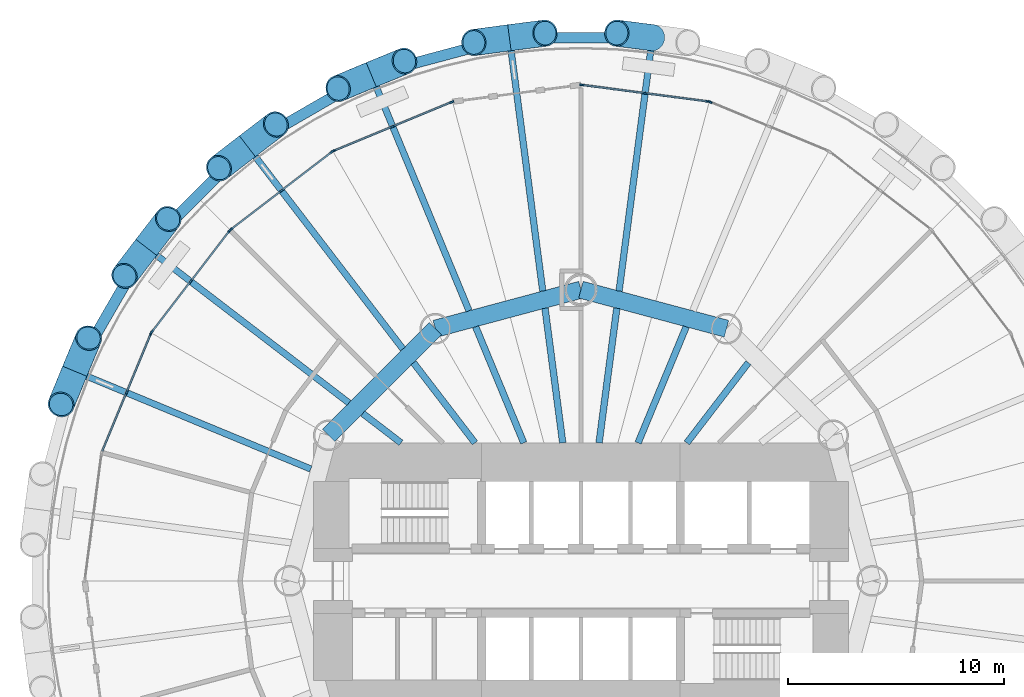
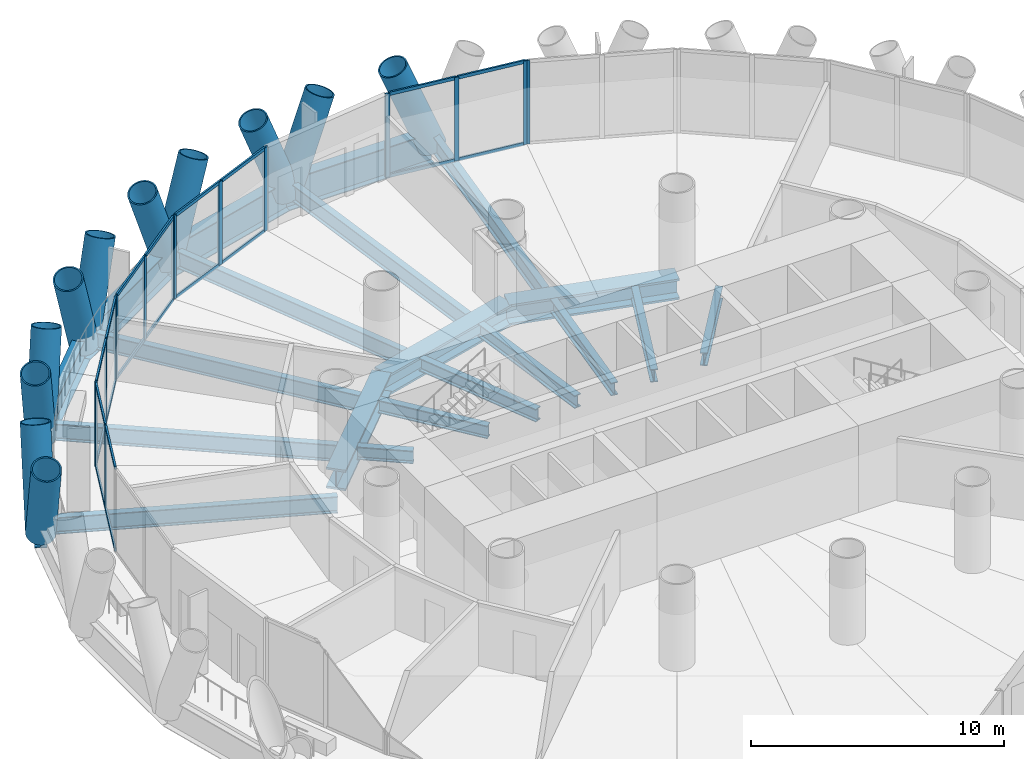
# One storey, part 5 of 14: 46 members, 21 beams, 6 elements without a shape of their own.
"""IFC4 building model written with IfcOpenShell, lengths in metres."""

from ifc_helpers import new_model, si_unit, direction, frame, origin, origin_2d, place, context, subcontext, project, spatial, rectangle, hollow_circle, i_section, extrude, material, material_profile, profile_set, type_object, element, aggregate, save


model = new_model("IFC4")

# Units and contexts
model_context = context("Model", 3, precision=1e-05, world=origin(), true_north=direction((0.0, 1.0)))
body_context = subcontext(model_context, "Body", "Model", "MODEL_VIEW")
ifc_project = project(units=[si_unit("LENGTHUNIT", "METRE"), si_unit("AREAUNIT", "SQUARE_METRE"), si_unit("VOLUMEUNIT", "CUBIC_METRE"), si_unit("PLANEANGLEUNIT", "RADIAN"), si_unit("MASSUNIT", "GRAM", prefix="KILO")], contexts=[model_context])

# Site, building, storey
site_placement = place(None, origin())
site = spatial("IfcSite", under=ifc_project, at=site_placement, CompositionType="ELEMENT")
building_placement = place(site_placement, origin())
building = spatial("IfcBuilding", under=site, at=building_placement, Name="Qaws Media Tower", CompositionType="ELEMENT")
storey_placement = place(building_placement, frame((0.0, 0.0, 68.0)))
storey = spatial("IfcBuildingStorey", under=building, at=storey_placement, Name="L14", CompositionType="ELEMENT", Elevation=68.0)

# Curtain wall, member
ifc_material_1 = material(Name="Aluminium and clear glass", Category="aluminium")
curtain_wall_type = type_object("IfcCurtainWallType", Name="Unitised curtain wall CW-A", PredefinedType="NOTDEFINED", material=ifc_material_1)
curtain_wall_1_placement = place(storey_placement, origin())
curtain_wall_1 = element("IfcCurtainWall", 1, at=curtain_wall_1_placement, inside=storey, type_object=curtain_wall_type, Name="CWA curtain wall L14-05", PredefinedType="NOTDEFINED")
ifc_material_2 = material(Name="Aluminium mullion", Category="aluminium")
ifc_material_profile_1 = material_profile(ifc_material_2, rectangle(XDim=0.080078125, YDim=0.199951171875, at=origin_2d()), Name="80x200")
ifc_profile_set_1 = profile_set([ifc_material_profile_1], Name="Aluminium mullion")
member_type_1 = type_object("IfcMemberType", Name="Curtain wall mullion 80x200", PredefinedType="MULLION", material=ifc_profile_set_1)
member_1_placement = place(storey_placement, frame((65.98974609375, 72.200927734375, 0.0), z_axis=(0.0, 0.0, 1.0), x_axis=(-0.382683470307, -0.923879516795, 0.0)))
member_1 = element("IfcMember", 2, at=member_1_placement, type_object=member_type_1, Name="CWA mullion 3", PredefinedType="MULLION", context=body_context, shape_type="SweptSolid", body=[
    extrude(rectangle(XDim=0.080078125, YDim=0.199951171875, at=origin_2d()), origin(), (0.0, 0.0, 1.0), 4.0400390625),
])
aggregate(curtain_wall_1, [member_1])

# Curtain wall, members
curtain_wall_2_placement = place(storey_placement, origin())
curtain_wall_2 = element("IfcCurtainWall", 3, at=curtain_wall_2_placement, inside=storey, type_object=curtain_wall_type, Name="CWA curtain wall L14-06", PredefinedType="NOTDEFINED")
member_2_placement = place(storey_placement, frame((65.9130859375, 72.221435546875, 0.0), z_axis=(0.0, 0.0, 1.0), x_axis=(-0.130526193795, -0.991444861167, 0.0)))
member_2 = element("IfcMember", 4, at=member_2_placement, type_object=member_type_1, Name="CWA mullion 1", PredefinedType="MULLION", context=body_context, shape_type="SweptSolid", body=[
    extrude(rectangle(XDim=0.080078125, YDim=0.199951171875, at=origin_2d()), origin(), (0.0, 0.0, 1.0), 4.0400390625),
])
member_3_placement = place(storey_placement, frame((62.976318359375, 72.608154296875, 0.0), z_axis=(0.0, 0.0, 1.0), x_axis=(-0.130526193795, -0.991444861167, 0.0)))
member_3 = element("IfcMember", 5, at=member_3_placement, type_object=member_type_1, Name="CWA mullion 2", PredefinedType="MULLION", context=body_context, shape_type="SweptSolid", body=[
    extrude(rectangle(XDim=0.080078125, YDim=0.199951171875, at=origin_2d()), origin(), (0.0, 0.0, 1.0), 4.0400390625),
])
member_4_placement = place(storey_placement, frame((60.03955078125, 72.994873046875, 0.0), z_axis=(0.0, 0.0, 1.0), x_axis=(-0.130526193795, -0.991444861167, 0.0)))
member_4 = element("IfcMember", 6, at=member_4_placement, type_object=member_type_1, Name="CWA mullion 3", PredefinedType="MULLION", context=body_context, shape_type="SweptSolid", body=[
    extrude(rectangle(XDim=0.080078125, YDim=0.199951171875, at=origin_2d()), origin(), (0.0, 0.0, 1.0), 4.0400390625),
])

curtain_wall_3_placement = place(storey_placement, origin())
curtain_wall_3 = element("IfcCurtainWall", 7, at=curtain_wall_3_placement, inside=storey, type_object=curtain_wall_type, Name="CWA curtain wall L14-08", PredefinedType="NOTDEFINED")
member_5_placement = place(storey_placement, frame((54.01025390625, 72.200927734375, 0.0), z_axis=(0.0, 0.0, 1.0), x_axis=(0.382683470307, -0.923879516795, 0.0)))
member_5 = element("IfcMember", 8, at=member_5_placement, type_object=member_type_1, Name="CWA mullion 1", PredefinedType="MULLION", context=body_context, shape_type="SweptSolid", body=[
    extrude(rectangle(XDim=0.080078125, YDim=0.199951171875, at=origin_2d()), origin(), (0.0, 0.0, 1.0), 4.0400390625),
])
member_6_placement = place(storey_placement, frame((51.273681640625, 71.0673828125, 0.0), z_axis=(0.0, 0.0, 1.0), x_axis=(0.382683470307, -0.923879516795, 0.0)))
member_6 = element("IfcMember", 9, at=member_6_placement, type_object=member_type_1, Name="CWA mullion 2", PredefinedType="MULLION", context=body_context, shape_type="SweptSolid", body=[
    extrude(rectangle(XDim=0.080078125, YDim=0.199951171875, at=origin_2d()), origin(), (0.0, 0.0, 1.0), 4.0400390625),
])
member_7_placement = place(storey_placement, frame((48.536865234375, 69.933837890625, 0.0), z_axis=(0.0, 0.0, 1.0), x_axis=(0.382683470307, -0.923879516795, 0.0)))
member_7 = element("IfcMember", 10, at=member_7_placement, type_object=member_type_1, Name="CWA mullion 3", PredefinedType="MULLION", context=body_context, shape_type="SweptSolid", body=[
    extrude(rectangle(XDim=0.080078125, YDim=0.199951171875, at=origin_2d()), origin(), (0.0, 0.0, 1.0), 4.0400390625),
])

curtain_wall_4_placement = place(storey_placement, origin())
curtain_wall_4 = element("IfcCurtainWall", 11, at=curtain_wall_4_placement, inside=storey, type_object=curtain_wall_type, Name="CWA curtain wall L14-09", PredefinedType="NOTDEFINED")
member_8_placement = place(storey_placement, frame((48.46826171875, 69.894287109375, 0.0), z_axis=(0.0, 0.0, 1.0), x_axis=(0.608761392855, -0.793353368033, 0.0)))
member_8 = element("IfcMember", 12, at=member_8_placement, type_object=member_type_1, Name="CWA mullion 1", PredefinedType="MULLION", context=body_context, shape_type="SweptSolid", body=[
    extrude(rectangle(XDim=0.080078125, YDim=0.199951171875, at=origin_2d()), origin(), (0.0, 0.0, 1.0), 4.0400390625),
])
member_9_placement = place(storey_placement, frame((46.1181640625, 68.091064453125, 0.0), z_axis=(0.0, 0.0, 1.0), x_axis=(0.608761392855, -0.793353368033, 0.0)))
member_9 = element("IfcMember", 13, at=member_9_placement, type_object=member_type_1, Name="CWA mullion 2", PredefinedType="MULLION", context=body_context, shape_type="SweptSolid", body=[
    extrude(rectangle(XDim=0.080078125, YDim=0.199951171875, at=origin_2d()), origin(), (0.0, 0.0, 1.0), 4.0400390625),
])
member_10_placement = place(storey_placement, frame((43.768310546875, 66.287841796875, 0.0), z_axis=(0.0, 0.0, 1.0), x_axis=(0.608761392855, -0.793353368033, 0.0)))
member_10 = element("IfcMember", 14, at=member_10_placement, type_object=member_type_1, Name="CWA mullion 3", PredefinedType="MULLION", context=body_context, shape_type="SweptSolid", body=[
    extrude(rectangle(XDim=0.080078125, YDim=0.199951171875, at=origin_2d()), origin(), (0.0, 0.0, 1.0), 4.0400390625),
])

curtain_wall_5_placement = place(storey_placement, origin())
curtain_wall_5 = element("IfcCurtainWall", 15, at=curtain_wall_5_placement, inside=storey, type_object=curtain_wall_type, Name="CWA curtain wall L14-10", PredefinedType="NOTDEFINED")
member_11_placement = place(storey_placement, frame((43.712158203125, 66.231689453125, 0.0), z_axis=(0.0, 0.0, 1.0), x_axis=(0.793353368033, -0.608761392855, 0.0)))
member_11 = element("IfcMember", 16, at=member_11_placement, type_object=member_type_1, Name="CWA mullion 1", PredefinedType="MULLION", context=body_context, shape_type="SweptSolid", body=[
    extrude(rectangle(XDim=0.080078125, YDim=0.199951171875, at=origin_2d()), origin(), (0.0, 0.0, 1.0), 4.0400390625),
])
member_12_placement = place(storey_placement, frame((41.908935546875, 63.8818359375, 0.0), z_axis=(0.0, 0.0, 1.0), x_axis=(0.793353368033, -0.608761392855, 0.0)))
member_12 = element("IfcMember", 17, at=member_12_placement, type_object=member_type_1, Name="CWA mullion 2", PredefinedType="MULLION", context=body_context, shape_type="SweptSolid", body=[
    extrude(rectangle(XDim=0.080078125, YDim=0.199951171875, at=origin_2d()), origin(), (0.0, 0.0, 1.0), 4.0400390625),
])
member_13_placement = place(storey_placement, frame((40.105712890625, 61.53173828125, 0.0), z_axis=(0.0, 0.0, 1.0), x_axis=(0.793353368033, -0.608761392855, 0.0)))
member_13 = element("IfcMember", 18, at=member_13_placement, type_object=member_type_1, Name="CWA mullion 3", PredefinedType="MULLION", context=body_context, shape_type="SweptSolid", body=[
    extrude(rectangle(XDim=0.080078125, YDim=0.199951171875, at=origin_2d()), origin(), (0.0, 0.0, 1.0), 4.0400390625),
])

curtain_wall_6_placement = place(storey_placement, origin())
curtain_wall_6 = element("IfcCurtainWall", 19, at=curtain_wall_6_placement, inside=storey, type_object=curtain_wall_type, Name="CWA curtain wall L14-11", PredefinedType="NOTDEFINED")
member_14_placement = place(storey_placement, frame((40.066162109375, 61.463134765625, 0.0), z_axis=(0.0, 0.0, 1.0), x_axis=(0.923879516795, -0.382683470307, 0.0)))
member_14 = element("IfcMember", 20, at=member_14_placement, type_object=member_type_1, Name="CWA mullion 1", PredefinedType="MULLION", context=body_context, shape_type="SweptSolid", body=[
    extrude(rectangle(XDim=0.080078125, YDim=0.199951171875, at=origin_2d()), origin(), (0.0, 0.0, 1.0), 4.0400390625),
])
member_15_placement = place(storey_placement, frame((38.9326171875, 58.726318359375, 0.0), z_axis=(0.0, 0.0, 1.0), x_axis=(0.923879516795, -0.382683470307, 0.0)))
member_15 = element("IfcMember", 21, at=member_15_placement, type_object=member_type_1, Name="CWA mullion 2", PredefinedType="MULLION", context=body_context, shape_type="SweptSolid", body=[
    extrude(rectangle(XDim=0.080078125, YDim=0.199951171875, at=origin_2d()), origin(), (0.0, 0.0, 1.0), 4.0400390625),
])

# Member
ifc_material_3 = material(Name="Aluminium transom", Category="aluminium")
ifc_material_profile_2 = material_profile(ifc_material_3, rectangle(XDim=0.080078125, YDim=0.159912109375, at=origin_2d()), Name="80x160")
ifc_profile_set_2 = profile_set([ifc_material_profile_2], Name="Aluminium transom")
member_type_2 = type_object("IfcMemberType", Name="Curtain wall transom 80x160", PredefinedType="USERDEFINED", material=ifc_profile_set_2)
member_16_placement = place(storey_placement, frame((65.87353515625, 72.226806640625, 0.0400390625), z_axis=(-0.991443335709, 0.130537780274, 0.0), x_axis=(-0.130537780274, -0.991443335709, 0.0)))
member_16 = element("IfcMember", 22, at=member_16_placement, type_object=member_type_2, Name="CWA transom 1.1", ObjectType="TRANSOM", PredefinedType="USERDEFINED", context=body_context, shape_type="SweptSolid", body=[
    extrude(rectangle(XDim=0.080078125, YDim=0.159912109375, at=origin_2d()), origin(), (0.0, 0.0, 1.0), 2.882080078125),
])

member_17_placement = place(storey_placement, frame((65.87353515625, 72.226806640625, 4.0), z_axis=(-0.991443335709, 0.130537780274, 0.0), x_axis=(-0.130537780274, -0.991443335709, 0.0)))
member_17 = element("IfcMember", 23, at=member_17_placement, type_object=member_type_2, Name="CWA transom 1.2", ObjectType="TRANSOM", PredefinedType="USERDEFINED", context=body_context, shape_type="SweptSolid", body=[
    extrude(rectangle(XDim=0.080078125, YDim=0.159912109375, at=origin_2d()), origin(), (0.0, 0.0, 1.0), 2.882080078125),
])

member_18_placement = place(storey_placement, frame((62.936767578125, 72.61328125, 0.0400390625), z_axis=(-0.991443335709, 0.130537780274, 0.0), x_axis=(-0.130537780274, -0.991443335709, 0.0)))
member_18 = element("IfcMember", 24, at=member_18_placement, type_object=member_type_2, Name="CWA transom 2.1", ObjectType="TRANSOM", PredefinedType="USERDEFINED", context=body_context, shape_type="SweptSolid", body=[
    extrude(rectangle(XDim=0.080078125, YDim=0.159912109375, at=origin_2d()), origin(), (0.0, 0.0, 1.0), 2.882080078125),
])

member_19_placement = place(storey_placement, frame((62.936767578125, 72.61328125, 4.0), z_axis=(-0.991443335709, 0.130537780274, 0.0), x_axis=(-0.130537780274, -0.991443335709, 0.0)))
member_19 = element("IfcMember", 25, at=member_19_placement, type_object=member_type_2, Name="CWA transom 2.2", ObjectType="TRANSOM", PredefinedType="USERDEFINED", context=body_context, shape_type="SweptSolid", body=[
    extrude(rectangle(XDim=0.080078125, YDim=0.159912109375, at=origin_2d()), origin(), (0.0, 0.0, 1.0), 2.882080078125),
])

aggregate(curtain_wall_2, [member_2, member_3, member_4, member_16, member_17, member_18, member_19])

member_20_placement = place(storey_placement, frame((53.97314453125, 72.185791015625, 0.0400390625), z_axis=(-0.923861954228, -0.382725867339, 0.0), x_axis=(0.382725867339, -0.923861954228, 0.0)))
member_20 = element("IfcMember", 26, at=member_20_placement, type_object=member_type_2, Name="CWA transom 1.1", ObjectType="TRANSOM", PredefinedType="USERDEFINED", context=body_context, shape_type="SweptSolid", body=[
    extrude(rectangle(XDim=0.080078125, YDim=0.159912109375, at=origin_2d()), origin(), (0.0, 0.0, 1.0), 2.882080078125),
])

member_21_placement = place(storey_placement, frame((53.97314453125, 72.185791015625, 4.0), z_axis=(-0.923861954228, -0.382725867339, 0.0), x_axis=(0.382725867339, -0.923861954228, 0.0)))
member_21 = element("IfcMember", 27, at=member_21_placement, type_object=member_type_2, Name="CWA transom 1.2", ObjectType="TRANSOM", PredefinedType="USERDEFINED", context=body_context, shape_type="SweptSolid", body=[
    extrude(rectangle(XDim=0.080078125, YDim=0.159912109375, at=origin_2d()), origin(), (0.0, 0.0, 1.0), 2.882080078125),
])

member_22_placement = place(storey_placement, frame((51.236572265625, 71.05224609375, 0.0400390625), z_axis=(-0.923861954228, -0.382725867339, 0.0), x_axis=(0.382725867339, -0.923861954228, 0.0)))
member_22 = element("IfcMember", 28, at=member_22_placement, type_object=member_type_2, Name="CWA transom 2.1", ObjectType="TRANSOM", PredefinedType="USERDEFINED", context=body_context, shape_type="SweptSolid", body=[
    extrude(rectangle(XDim=0.080078125, YDim=0.159912109375, at=origin_2d()), origin(), (0.0, 0.0, 1.0), 2.882080078125),
])

member_23_placement = place(storey_placement, frame((51.236572265625, 71.05224609375, 4.0), z_axis=(-0.923861954228, -0.382725867339, 0.0), x_axis=(0.382725867339, -0.923861954228, 0.0)))
member_23 = element("IfcMember", 29, at=member_23_placement, type_object=member_type_2, Name="CWA transom 2.2", ObjectType="TRANSOM", PredefinedType="USERDEFINED", context=body_context, shape_type="SweptSolid", body=[
    extrude(rectangle(XDim=0.080078125, YDim=0.159912109375, at=origin_2d()), origin(), (0.0, 0.0, 1.0), 2.882080078125),
])

aggregate(curtain_wall_3, [member_5, member_6, member_7, member_20, member_21, member_22, member_23])

member_24_placement = place(storey_placement, frame((48.4365234375, 69.869873046875, 0.0400390625), z_axis=(-0.793385436985, -0.608719597499, 0.0), x_axis=(0.608719597499, -0.793385436985, 0.0)))
member_24 = element("IfcMember", 30, at=member_24_placement, type_object=member_type_2, Name="CWA transom 1.1", ObjectType="TRANSOM", PredefinedType="USERDEFINED", context=body_context, shape_type="SweptSolid", body=[
    extrude(rectangle(XDim=0.080078125, YDim=0.159912109375, at=origin_2d()), origin(), (0.0, 0.0, 1.0), 2.882080078125),
])

member_25_placement = place(storey_placement, frame((48.4365234375, 69.869873046875, 4.0), z_axis=(-0.793385436985, -0.608719597499, 0.0), x_axis=(0.608719597499, -0.793385436985, 0.0)))
member_25 = element("IfcMember", 31, at=member_25_placement, type_object=member_type_2, Name="CWA transom 1.2", ObjectType="TRANSOM", PredefinedType="USERDEFINED", context=body_context, shape_type="SweptSolid", body=[
    extrude(rectangle(XDim=0.080078125, YDim=0.159912109375, at=origin_2d()), origin(), (0.0, 0.0, 1.0), 2.882080078125),
])

member_26_placement = place(storey_placement, frame((46.08642578125, 68.066650390625, 0.0400390625), z_axis=(-0.793354045749, -0.608760509637, 0.0), x_axis=(0.608760509637, -0.793354045749, 0.0)))
member_26 = element("IfcMember", 32, at=member_26_placement, type_object=member_type_2, Name="CWA transom 2.1", ObjectType="TRANSOM", PredefinedType="USERDEFINED", context=body_context, shape_type="SweptSolid", body=[
    extrude(rectangle(XDim=0.080078125, YDim=0.159912109375, at=origin_2d()), origin(), (0.0, 0.0, 1.0), 2.8818359375),
])

member_27_placement = place(storey_placement, frame((46.08642578125, 68.066650390625, 4.0), z_axis=(-0.793354045749, -0.608760509637, 0.0), x_axis=(0.608760509637, -0.793354045749, 0.0)))
member_27 = element("IfcMember", 33, at=member_27_placement, type_object=member_type_2, Name="CWA transom 2.2", ObjectType="TRANSOM", PredefinedType="USERDEFINED", context=body_context, shape_type="SweptSolid", body=[
    extrude(rectangle(XDim=0.080078125, YDim=0.159912109375, at=origin_2d()), origin(), (0.0, 0.0, 1.0), 2.8818359375),
])

aggregate(curtain_wall_4, [member_8, member_9, member_10, member_24, member_25, member_26, member_27])

member_28_placement = place(storey_placement, frame((43.687744140625, 66.199951171875, 0.0400390625), z_axis=(-0.608760509637, -0.793354045749, 0.0), x_axis=(0.793354045749, -0.608760509637, 0.0)))
member_28 = element("IfcMember", 34, at=member_28_placement, type_object=member_type_2, Name="CWA transom 1.1", ObjectType="TRANSOM", PredefinedType="USERDEFINED", context=body_context, shape_type="SweptSolid", body=[
    extrude(rectangle(XDim=0.080078125, YDim=0.159912109375, at=origin_2d()), origin(), (0.0, 0.0, 1.0), 2.8818359375),
])

member_29_placement = place(storey_placement, frame((43.687744140625, 66.199951171875, 4.0), z_axis=(-0.608760509637, -0.793354045749, 0.0), x_axis=(0.793354045749, -0.608760509637, 0.0)))
member_29 = element("IfcMember", 35, at=member_29_placement, type_object=member_type_2, Name="CWA transom 1.2", ObjectType="TRANSOM", PredefinedType="USERDEFINED", context=body_context, shape_type="SweptSolid", body=[
    extrude(rectangle(XDim=0.080078125, YDim=0.159912109375, at=origin_2d()), origin(), (0.0, 0.0, 1.0), 2.8818359375),
])

member_30_placement = place(storey_placement, frame((41.884521484375, 63.85009765625, 0.0400390625), z_axis=(-0.608719597499, -0.793385436985, 0.0), x_axis=(0.793385436985, -0.608719597499, 0.0)))
member_30 = element("IfcMember", 36, at=member_30_placement, type_object=member_type_2, Name="CWA transom 2.1", ObjectType="TRANSOM", PredefinedType="USERDEFINED", context=body_context, shape_type="SweptSolid", body=[
    extrude(rectangle(XDim=0.080078125, YDim=0.159912109375, at=origin_2d()), origin(), (0.0, 0.0, 1.0), 2.882080078125),
])

member_31_placement = place(storey_placement, frame((41.884521484375, 63.85009765625, 4.0), z_axis=(-0.608719597499, -0.793385436985, 0.0), x_axis=(0.793385436985, -0.608719597499, 0.0)))
member_31 = element("IfcMember", 37, at=member_31_placement, type_object=member_type_2, Name="CWA transom 2.2", ObjectType="TRANSOM", PredefinedType="USERDEFINED", context=body_context, shape_type="SweptSolid", body=[
    extrude(rectangle(XDim=0.080078125, YDim=0.159912109375, at=origin_2d()), origin(), (0.0, 0.0, 1.0), 2.882080078125),
])

aggregate(curtain_wall_5, [member_11, member_12, member_13, member_28, member_29, member_30, member_31])

member_32_placement = place(storey_placement, frame((40.05078125, 61.426025390625, 0.0400390625), z_axis=(-0.382725867339, -0.923861954228, 0.0), x_axis=(0.923861954228, -0.382725867339, 0.0)))
member_32 = element("IfcMember", 38, at=member_32_placement, type_object=member_type_2, Name="CWA transom 1.1", ObjectType="TRANSOM", PredefinedType="USERDEFINED", context=body_context, shape_type="SweptSolid", body=[
    extrude(rectangle(XDim=0.080078125, YDim=0.159912109375, at=origin_2d()), origin(), (0.0, 0.0, 1.0), 2.882080078125),
])

member_33_placement = place(storey_placement, frame((40.05078125, 61.426025390625, 4.0), z_axis=(-0.382725867339, -0.923861954228, 0.0), x_axis=(0.923861954228, -0.382725867339, 0.0)))
member_33 = element("IfcMember", 39, at=member_33_placement, type_object=member_type_2, Name="CWA transom 1.2", ObjectType="TRANSOM", PredefinedType="USERDEFINED", context=body_context, shape_type="SweptSolid", body=[
    extrude(rectangle(XDim=0.080078125, YDim=0.159912109375, at=origin_2d()), origin(), (0.0, 0.0, 1.0), 2.882080078125),
])

member_34_placement = place(storey_placement, frame((38.917236328125, 58.689453125, 0.0400390625), z_axis=(-0.382725867339, -0.923861954228, 0.0), x_axis=(0.923861954228, -0.382725867339, 0.0)))
member_34 = element("IfcMember", 40, at=member_34_placement, type_object=member_type_2, Name="CWA transom 2.1", ObjectType="TRANSOM", PredefinedType="USERDEFINED", context=body_context, shape_type="SweptSolid", body=[
    extrude(rectangle(XDim=0.080078125, YDim=0.159912109375, at=origin_2d()), origin(), (0.0, 0.0, 1.0), 2.882080078125),
])

member_35_placement = place(storey_placement, frame((38.917236328125, 58.689453125, 4.0), z_axis=(-0.382725867339, -0.923861954228, 0.0), x_axis=(0.923861954228, -0.382725867339, 0.0)))
member_35 = element("IfcMember", 41, at=member_35_placement, type_object=member_type_2, Name="CWA transom 2.2", ObjectType="TRANSOM", PredefinedType="USERDEFINED", context=body_context, shape_type="SweptSolid", body=[
    extrude(rectangle(XDim=0.080078125, YDim=0.159912109375, at=origin_2d()), origin(), (0.0, 0.0, 1.0), 2.882080078125),
])

aggregate(curtain_wall_6, [member_14, member_15, member_32, member_33, member_34, member_35])

# Members
ifc_material_4 = material(Name="Steel S460", Category="steel")
ifc_material_profile_3 = material_profile(ifc_material_4, hollow_circle(Radius=0.609619140625, WallThickness=0.06005859375, at=origin_2d()), Name="CHS 1219x60")
ifc_profile_set_3 = profile_set([ifc_material_profile_3], Name="Steel S460")
member_type_3 = type_object("IfcMemberType", Name="Diagrid member CHS 1219x60", PredefinedType="USERDEFINED", material=ifc_profile_set_3)
for number, where, z_axis, x_axis, name in (
    (42, (63.3154296875, 75.1826171875, -0.909912109375), (-0.365418374584, 0.047122866406, 0.929649851814), (-0.127896875978, -0.991787471747, 0.0), "DG1 diagrid L14 A06"),
    (43, (56.6845703125, 75.1826171875, -0.909912109375), (-0.365150048786, -0.049068557688, 0.929654623244), (0.133182057659, -0.991091589873, 0.0), "DG1 diagrid L14 A07"),
    (44, (56.6845703125, 75.1826171875, -0.909912109375), (0.365418374584, 0.047122866406, 0.929649851814), (-0.127896875978, 0.991787471747, 0.0), "DG1 diagrid L14 B07"),
    (45, (50.27978515625, 73.466552734375, -0.909912109375), (-0.340019526305, -0.141908975855, 0.929649699781), (0.385156871234, -0.922851117213, 0.0), "DG1 diagrid L14 A08"),
    (46, (50.27978515625, 73.466552734375, -0.909912109375), (0.340776603455, 0.140071829394, 0.929651111519), (-0.380174325238, 0.924914851448, 0.0), "DG1 diagrid L14 B08"),
    (47, (44.537353515625, 70.151123046875, -0.909912109375), (-0.29165813719, -0.22507988538, 0.929663689841), (0.61095058098, -0.791668736026, 0.0), "DG1 diagrid L14 A09"),
    (48, (44.537353515625, 70.151123046875, -0.909912109375), (0.292947030243, 0.223506533312, 0.929638030117), (-0.60657331823, 0.795027552738, 0.0), "DG1 diagrid L14 B09"),
    (49, (39.848876953125, 65.462646484375, -0.909912109375), (-0.223506533312, -0.292947030243, 0.929638030117), (0.795027552738, -0.60657331823, 0.0), "DG1 diagrid L14 A10"),
    (50, (39.848876953125, 65.462646484375, -0.909912109375), (0.22507988538, 0.29165813719, 0.929663689841), (-0.791668736026, 0.61095058098, 0.0), "DG1 diagrid L14 B10"),
    (51, (36.533447265625, 59.72021484375, -0.909912109375), (-0.140071829394, -0.340776603455, 0.929651111519), (0.924914851448, -0.380174325238, 0.0), "DG1 diagrid L14 A11"),
    (52, (36.533447265625, 59.72021484375, -0.909912109375), (0.141908975855, 0.340019526305, 0.929649699781), (-0.922851117213, 0.385156871234, 0.0), "DG1 diagrid L14 B11"),
):
    element("IfcMember", number, at=place(storey_placement, frame(where, z_axis=z_axis, x_axis=x_axis)), inside=storey, type_object=member_type_3, Name=name, ObjectType="DIAGRID", PredefinedType="USERDEFINED", context=body_context, shape_type="SweptSolid", body=[
        extrude(hollow_circle(Radius=0.609619140625, WallThickness=0.06005859375, at=origin_2d()), origin(), (0.0, 0.0, 1.0), 4.517822265625),
    ])

# Beams
ifc_material_5 = material(Name="Steel S460", Category="steel")
ifc_material_profile_4 = material_profile(ifc_material_5, i_section(OverallWidth=0.5, OverallDepth=1.5, WebThickness=0.02001953125, FlangeThickness=0.0400390625, at=origin_2d()), Name="PG 1500x500")
ifc_profile_set_4 = profile_set([ifc_material_profile_4], Name="Steel S460")
beam_type_1 = type_object("IfcBeamType", Name="Edge ring beam PG 1500x500", PredefinedType="BEAM", material=ifc_profile_set_4)
beam_1_placement = place(storey_placement, frame((63.3154296875, 75.1826171875, -0.909912109375), z_axis=(-1.0, 0.0, 0.0), x_axis=(0.0, -1.0, 0.0)))
element("IfcBeam", 53, at=beam_1_placement, inside=storey, type_object=beam_type_1, Name="RB4 edge ring beam L14-06", PredefinedType="BEAM", context=body_context, shape_type="SweptSolid", body=[
    extrude(i_section(OverallWidth=0.5, OverallDepth=1.5, WebThickness=0.02001953125, FlangeThickness=0.0400390625, at=origin_2d()), origin(), (0.0, 0.0, 1.0), 6.630859375),
])
beam_2_placement = place(storey_placement, frame((56.6845703125, 75.1826171875, -0.909912109375), z_axis=(-0.965929315924, -0.258806021256, 0.0), x_axis=(0.258806021256, -0.965929315924, 0.0)))
element("IfcBeam", 54, at=beam_2_placement, inside=storey, type_object=beam_type_1, Name="RB4 edge ring beam L14-07", PredefinedType="BEAM", context=body_context, shape_type="SweptSolid", body=[
    extrude(i_section(OverallWidth=0.5, OverallDepth=1.5, WebThickness=0.02001953125, FlangeThickness=0.0400390625, at=origin_2d()), origin(), (0.0, 0.0, 1.0), 6.630615234375),
])
beam_3_placement = place(storey_placement, frame((50.27978515625, 73.466552734375, -0.909912109375), z_axis=(-0.866023102884, -0.500003985254, 0.0), x_axis=(0.500003985254, -0.866023102884, 0.0)))
element("IfcBeam", 55, at=beam_3_placement, inside=storey, type_object=beam_type_1, Name="RB4 edge ring beam L14-08", PredefinedType="BEAM", context=body_context, shape_type="SweptSolid", body=[
    extrude(i_section(OverallWidth=0.5, OverallDepth=1.5, WebThickness=0.02001953125, FlangeThickness=0.0400390625, at=origin_2d()), origin(), (0.0, 0.0, 1.0), 6.630859375),
])
beam_4_placement = place(storey_placement, frame((44.537353515625, 70.151123046875, -0.909912109375), z_axis=(-0.707106781187, -0.707106781187, 0.0), x_axis=(0.707106781187, -0.707106781187, 0.0)))
element("IfcBeam", 56, at=beam_4_placement, inside=storey, type_object=beam_type_1, Name="RB4 edge ring beam L14-09", PredefinedType="BEAM", context=body_context, shape_type="SweptSolid", body=[
    extrude(i_section(OverallWidth=0.5, OverallDepth=1.5, WebThickness=0.02001953125, FlangeThickness=0.0400390625, at=origin_2d()), origin(), (0.0, 0.0, 1.0), 6.630615234375),
])
beam_5_placement = place(storey_placement, frame((39.848876953125, 65.462646484375, -0.909912109375), z_axis=(-0.500003985254, -0.866023102884, 0.0), x_axis=(0.866023102884, -0.500003985254, 0.0)))
element("IfcBeam", 57, at=beam_5_placement, inside=storey, type_object=beam_type_1, Name="RB4 edge ring beam L14-10", PredefinedType="BEAM", context=body_context, shape_type="SweptSolid", body=[
    extrude(i_section(OverallWidth=0.5, OverallDepth=1.5, WebThickness=0.02001953125, FlangeThickness=0.0400390625, at=origin_2d()), origin(), (0.0, 0.0, 1.0), 6.630859375),
])
ifc_material_6 = material(Name="Steel S460", Category="steel")
ifc_material_profile_5 = material_profile(ifc_material_6, i_section(OverallWidth=0.800048828125, OverallDepth=1.0, WebThickness=0.0400390625, FlangeThickness=0.10009765625, at=origin_2d()), Name="PG 1000x800")
ifc_profile_set_5 = profile_set([ifc_material_profile_5], Name="Steel S460")
beam_type_2 = type_object("IfcBeamType", Name="Inner ring girder PG 1000x800", PredefinedType="BEAM", material=ifc_profile_set_5)
for number, where, z_axis, x_axis, name in (
    (58, (66.75, 61.69140625, -0.659912109375), (-0.965928090778, 0.258810593767, 0.0), (-0.258810593767, -0.965928090778, 0.0), "B3 inner ring beam L14 I03-I04"),
    (59, (60.0, 63.5, -0.659912109375), (-0.965928090778, -0.258810593767, 0.0), (0.258810593767, -0.965928090778, 0.0), "B3 inner ring beam L14 I04-I05"),
):
    element("IfcBeam", number, at=place(storey_placement, frame(where, z_axis=z_axis, x_axis=x_axis)), inside=storey, type_object=beam_type_2, Name=name, PredefinedType="BEAM", context=body_context, shape_type="SweptSolid", body=[
        extrude(i_section(OverallWidth=0.800048828125, OverallDepth=1.0, WebThickness=0.0400390625, FlangeThickness=0.10009765625, at=origin_2d()), origin(), (0.0, 0.0, 1.0), 6.988037109375),
    ])
beam_6_placement = place(storey_placement, frame((53.25, 61.69140625, -0.659912109375), z_axis=(-0.707106781187, -0.707106781187, 0.0), x_axis=(0.707106781187, -0.707106781187, 0.0)))
element("IfcBeam", 60, at=beam_6_placement, inside=storey, type_object=beam_type_2, Name="B3 inner ring beam L14 I05-I06", PredefinedType="BEAM", context=body_context, shape_type="SweptSolid", body=[
    extrude(i_section(OverallWidth=0.800048828125, OverallDepth=1.0, WebThickness=0.0400390625, FlangeThickness=0.10009765625, at=origin_2d()), origin(), (0.0, 0.0, 1.0), 6.98828125),
])
ifc_material_7 = material(Name="Steel S355", Category="steel")
ifc_material_profile_6 = material_profile(ifc_material_7, i_section(OverallWidth=0.304931640625, OverallDepth=0.6201171875, WebThickness=0.02099609375, FlangeThickness=0.0400390625, FilletRadius=0.027099609375, at=origin_2d()), Name="HE 600 M")
ifc_profile_set_6 = profile_set([ifc_material_profile_6], Name="Steel S355")
beam_type_3 = type_object("IfcBeamType", Name="Radial beam HE 600 M, core side", PredefinedType="BEAM", material=ifc_profile_set_6)
beam_7_placement = place(storey_placement, frame((64.910888671875, 56.39990234375, -0.469970703125), z_axis=(0.608765363283, 0.793350321401, 0.0), x_axis=(-0.793350321401, 0.608765363283, 0.0)))
element("IfcBeam", 61, at=beam_7_placement, inside=storey, type_object=beam_type_3, Name="B2 radial beam L14 04", PredefinedType="BEAM", context=body_context, shape_type="SweptSolid", body=[
    extrude(i_section(OverallWidth=0.304931640625, OverallDepth=0.6201171875, WebThickness=0.02099609375, FlangeThickness=0.0400390625, FilletRadius=0.027099609375, at=origin_2d()), origin(), (0.0, 0.0, 1.0), 4.68212890625),
])
beam_8_placement = place(storey_placement, frame((62.65087890625, 56.39990234375, -0.469970703125), z_axis=(0.38269993354, 0.923872697328, 0.0), x_axis=(-0.923872697328, 0.38269993354, 0.0)))
element("IfcBeam", 62, at=beam_8_placement, inside=storey, type_object=beam_type_3, Name="B2 radial beam L14 05", PredefinedType="BEAM", context=body_context, shape_type="SweptSolid", body=[
    extrude(i_section(OverallWidth=0.304931640625, OverallDepth=0.6201171875, WebThickness=0.02099609375, FlangeThickness=0.0400390625, FilletRadius=0.027099609375, at=origin_2d()), origin(), (0.0, 0.0, 1.0), 5.82177734375),
])
for number, where, z_axis, x_axis, name in (
    (63, (60.842529296875, 56.39990234375, -0.469970703125), (0.130529769311, 0.991444390434, 0.0), (-0.991444390434, 0.130529769311, 0.0), "B2 radial beam L14 06"),
    (64, (59.157470703125, 56.39990234375, -0.469970703125), (-0.130529769311, 0.991444390434, 0.0), (-0.991444390434, -0.130529769311, 0.0), "B2 radial beam L14 07"),
):
    element("IfcBeam", number, at=place(storey_placement, frame(where, z_axis=z_axis, x_axis=x_axis)), inside=storey, type_object=beam_type_3, Name=name, PredefinedType="BEAM", context=body_context, shape_type="SweptSolid", body=[
        extrude(i_section(OverallWidth=0.304931640625, OverallDepth=0.6201171875, WebThickness=0.02099609375, FlangeThickness=0.0400390625, FilletRadius=0.027099609375, at=origin_2d()), origin(), (0.0, 0.0, 1.0), 6.2939453125),
    ])
beam_9_placement = place(storey_placement, frame((57.34912109375, 56.39990234375, -0.469970703125), z_axis=(-0.38269993354, 0.923872697328, 0.0), x_axis=(-0.923872697328, -0.38269993354, 0.0)))
element("IfcBeam", 65, at=beam_9_placement, inside=storey, type_object=beam_type_3, Name="B2 radial beam L14 08", PredefinedType="BEAM", context=body_context, shape_type="SweptSolid", body=[
    extrude(i_section(OverallWidth=0.304931640625, OverallDepth=0.6201171875, WebThickness=0.02099609375, FlangeThickness=0.0400390625, FilletRadius=0.027099609375, at=origin_2d()), origin(), (0.0, 0.0, 1.0), 5.82177734375),
])
beam_10_placement = place(storey_placement, frame((55.089111328125, 56.39990234375, -0.469970703125), z_axis=(-0.608765363283, 0.793350321401, 0.0), x_axis=(-0.793350321401, -0.608765363283, 0.0)))
element("IfcBeam", 66, at=beam_10_placement, inside=storey, type_object=beam_type_3, Name="B2 radial beam L14 09", PredefinedType="BEAM", context=body_context, shape_type="SweptSolid", body=[
    extrude(i_section(OverallWidth=0.304931640625, OverallDepth=0.6201171875, WebThickness=0.02099609375, FlangeThickness=0.0400390625, FilletRadius=0.027099609375, at=origin_2d()), origin(), (0.0, 0.0, 1.0), 4.68212890625),
])
beam_11_placement = place(storey_placement, frame((51.659423828125, 56.39990234375, -0.469970703125), z_axis=(-0.793321589474, 0.608802805245, 0.0), x_axis=(-0.608802805245, -0.793321589474, 0.0)))
element("IfcBeam", 67, at=beam_11_placement, inside=storey, type_object=beam_type_3, Name="B2 radial beam L14 10", PredefinedType="BEAM", context=body_context, shape_type="SweptSolid", body=[
    extrude(i_section(OverallWidth=0.304931640625, OverallDepth=0.6201171875, WebThickness=0.02099609375, FlangeThickness=0.0400390625, FilletRadius=0.027099609375, at=origin_2d()), origin(), (0.0, 0.0, 1.0), 2.236083984375),
])
ifc_material_8 = material(Name="Steel S355", Category="steel")
ifc_material_profile_7 = material_profile(ifc_material_8, i_section(OverallWidth=0.300048828125, OverallDepth=0.800048828125, WebThickness=0.017578125, FlangeThickness=0.032958984375, FilletRadius=0.030029296875, at=origin_2d()), Name="HE 800 B")
ifc_profile_set_7 = profile_set([ifc_material_profile_7], Name="Steel S355")
beam_type_4 = type_object("IfcBeamType", Name="Radial beam HE 800 B", PredefinedType="BEAM", material=ifc_profile_set_7)
for number, where, z_axis, x_axis, name in (
    (68, (61.769287109375, 63.43994140625, -0.56005859375), (0.13054195934, 0.991442785465, 0.0), (-0.991442785465, 0.13054195934, 0.0), "B1 radial beam L14 06"),
    (69, (58.230712890625, 63.43994140625, -0.56005859375), (-0.13054195934, 0.991442785465, 0.0), (-0.991442785465, -0.13054195934, 0.0), "B1 radial beam L14 07"),
    (70, (54.812255859375, 62.524169921875, -0.56005859375), (-0.382682519822, 0.923879910499, 0.0), (-0.923879910499, -0.382682519822, 0.0), "B1 radial beam L14 08"),
    (71, (51.74755859375, 60.754638671875, -0.56005859375), (-0.608762971443, 0.793352156737, 0.0), (-0.793352156737, -0.608762971443, 0.0), "B1 radial beam L14 09"),
    (72, (49.245361328125, 58.25244140625, -0.56005859375), (-0.793352156737, 0.608762971443, 0.0), (-0.608762971443, -0.793352156737, 0.0), "B1 radial beam L14 10"),
    (73, (47.475830078125, 55.187744140625, -0.56005859375), (-0.923879910499, 0.382682519822, 0.0), (-0.382682519822, -0.923879910499, 0.0), "B1 radial beam L14 11"),
):
    element("IfcBeam", number, at=place(storey_placement, frame(where, z_axis=z_axis, x_axis=x_axis)), inside=storey, type_object=beam_type_4, Name=name, PredefinedType="BEAM", context=body_context, shape_type="SweptSolid", body=[
        extrude(i_section(OverallWidth=0.300048828125, OverallDepth=0.800048828125, WebThickness=0.017578125, FlangeThickness=0.032958984375, FilletRadius=0.030029296875, at=origin_2d()), origin(), (0.0, 0.0, 1.0), 11.843994140625),
    ])

save(model, "model.ifc")
